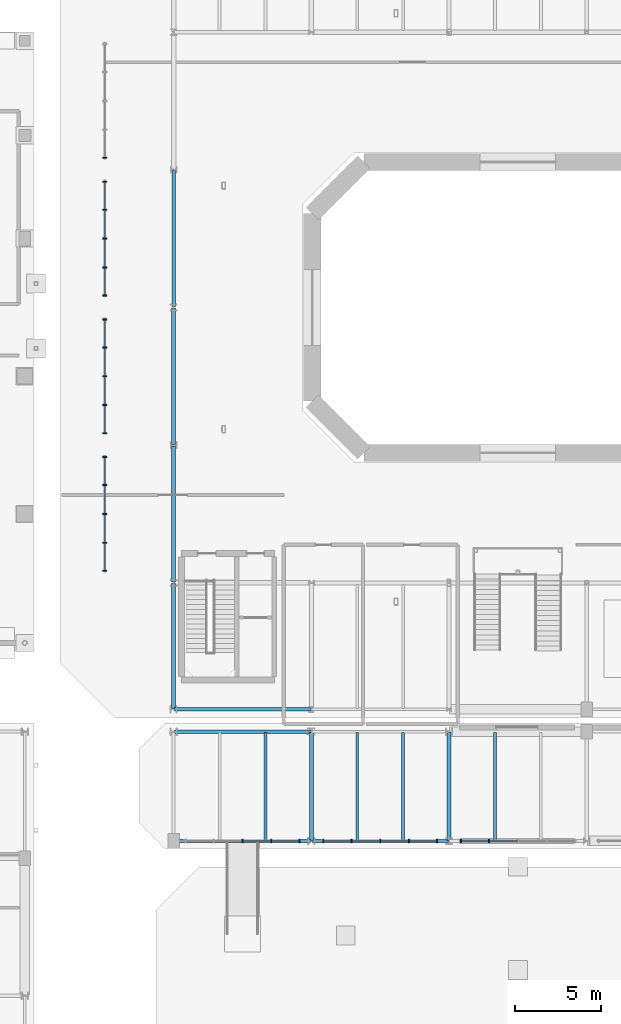
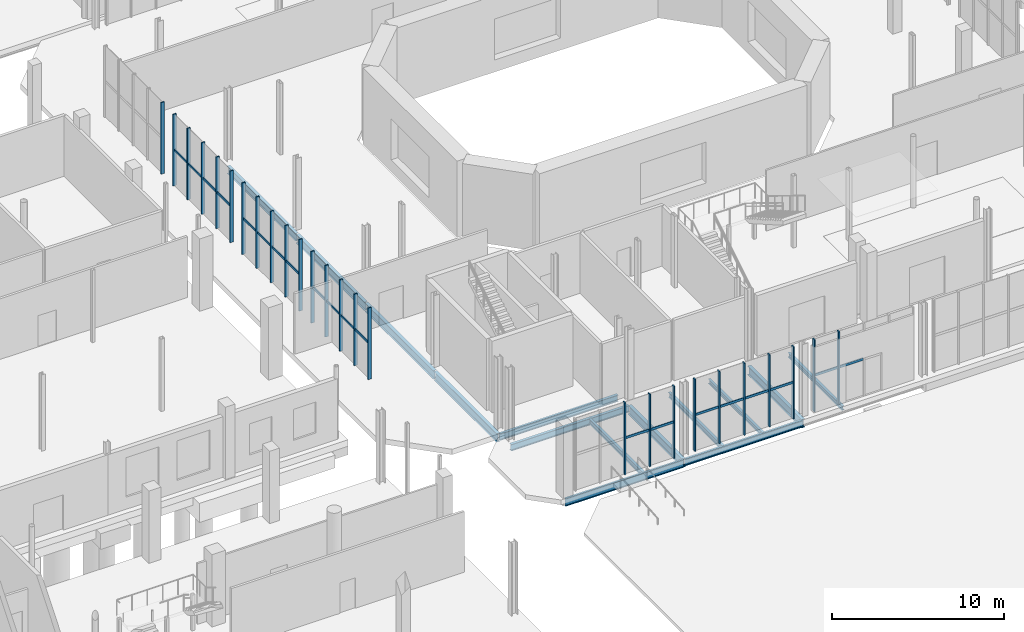
# One storey, part 39 of 87: 46 members, 14 beams, 7 elements without a shape of their own.
"""IFC4 building model written with IfcOpenShell, lengths in metres."""

import ifcopenshell
import ifcopenshell.guid

model = None  # the IFC model being written
_history = None  # IfcOwnerHistory: only IFC2X3 demands one
_inside = {}  # id of a spatial element -> (the spatial element, [elements in it])
_under = {}  # id of a project, library or spatial element -> (it, [spatial elements below it])
_declared = {}  # id of a project -> (the project, [libraries it declares])
_typed = {}  # id of a type object -> (the type object, [elements of that type])
_made_of = {}  # id of a material, layer set ... -> (it, [elements and type objects made of it])


def new_model(schema):
    """Start an empty IFC model of exactly this schema.

    Asked for "IFC4X3", IfcOpenShell would pick the latest addendum, in which some entities
    have other attributes; the version numbers below select the first issue.
    IFC2X3 requires an IfcOwnerHistory on every rooted entity: one is made here for all.
    """
    global model, _history
    if schema == "IFC4X3":
        model = ifcopenshell.file(schema_version=(4, 3, 0, 0))
    else:
        model = ifcopenshell.file(schema=schema)
    _inside.clear()
    _under.clear()
    _declared.clear()
    _typed.clear()
    _made_of.clear()
    _history = None
    if model.schema == "IFC2X3":
        org = make("IfcOrganization", Name="unknown")
        user = make(
            "IfcPersonAndOrganization",
            ThePerson=make("IfcPerson", FamilyName="unknown"),
            TheOrganization=org,
        )
        app = make(
            "IfcApplication",
            ApplicationDeveloper=org,
            Version="unknown",
            ApplicationFullName="unknown",
            ApplicationIdentifier="unknown",
        )
        _history = make(
            "IfcOwnerHistory",
            OwningUser=user,
            OwningApplication=app,
            ChangeAction="ADDED",
            CreationDate=0,
        )
    return model


def make(cls, **values):
    """One entity of the class cls with the attributes given. An attribute that is None is left unset."""
    return model.create_entity(
        cls, **{name: value for name, value in values.items() if value is not None}
    )


def rooted(cls, **values):
    """An entity with a GlobalId (a new one), such as an element, a storey or a relation."""
    return make(cls, GlobalId=ifcopenshell.guid.new(), OwnerHistory=_history, **values)


def si_unit(unit_type, name, prefix=None):
    """IfcSIUnit, for example si_unit("LENGTHUNIT", "METRE", prefix="MILLI")."""
    return make("IfcSIUnit", UnitType=unit_type, Prefix=prefix, Name=name)


def assignment(units):
    """IfcUnitAssignment: the units of a project."""
    return None if units is None else make("IfcUnitAssignment", Units=units)


def point(xyz):
    """IfcCartesianPoint."""
    return None if xyz is None else make("IfcCartesianPoint", Coordinates=xyz)


def direction(xyz):
    """IfcDirection."""
    return None if xyz is None else make("IfcDirection", DirectionRatios=xyz)


def frame(location, z_axis=None, x_axis=None):
    """IfcAxis2Placement3D, a coordinate frame: its origin and axes. An axis left out is left unset."""
    return make(
        "IfcAxis2Placement3D",
        Location=point(location),
        Axis=direction(z_axis),
        RefDirection=direction(x_axis),
    )


def frame_2d(location, x_axis=None):
    """IfcAxis2Placement2D, a coordinate frame in the plane: its origin and x axis."""
    return make(
        "IfcAxis2Placement2D", Location=point(location), RefDirection=direction(x_axis)
    )


def origin():
    """The frame at (0, 0, 0) with its axes left unset."""
    return frame((0.0, 0.0, 0.0))


def origin_2d():
    """The frame at (0, 0) in the plane with its x axis left unset."""
    return frame_2d((0.0, 0.0))


def place(relative_to, where):
    """IfcLocalPlacement: puts the frame where relative to a parent placement (None: the world)."""
    return make(
        "IfcLocalPlacement", PlacementRelTo=relative_to, RelativePlacement=where
    )


def context(
    kind, dimensions, precision=None, world=None, true_north=None, identifier=None
):
    """IfcGeometricRepresentationContext, for example the 3D "Model" context."""
    return make(
        "IfcGeometricRepresentationContext",
        ContextIdentifier=identifier,
        ContextType=kind,
        CoordinateSpaceDimension=dimensions,
        Precision=precision,
        WorldCoordinateSystem=world,
        TrueNorth=true_north,
    )


def subcontext(parent, identifier, kind, view, scale=None):
    """IfcGeometricRepresentationSubContext, for example "Body" below "Model"."""
    return make(
        "IfcGeometricRepresentationSubContext",
        ContextIdentifier=identifier,
        ContextType=kind,
        ParentContext=parent,
        TargetScale=scale,
        TargetView=view,
    )


def project(units=None, contexts=None):
    """IfcProject with its units and contexts."""
    return rooted(
        "IfcProject",
        Name="project",
        RepresentationContexts=contexts,
        UnitsInContext=assignment(units),
    )


def spatial(cls, under=None, at=None, **own):
    """A site, building, storey or space (cls), placed at a placement, below another one or the project."""
    s = rooted(cls, ObjectPlacement=at, **own)
    if under is not None:
        _under.setdefault(under.id(), (under, []))[1].append(s)
    return s


def profile(cls, at=None, kind="AREA", **sizes):
    """A parametric profile (cls). Its sizes go by their IFC names, for example OverallWidth=200.0."""
    return make(cls, ProfileType=kind, Position=at, **sizes)


def rectangle(**sizes):
    """IfcRectangleProfileDef."""
    return profile("IfcRectangleProfileDef", **sizes)


def i_section(**sizes):
    """IfcIShapeProfileDef."""
    return profile("IfcIShapeProfileDef", **sizes)


def extrude(swept, where, along, depth):
    """IfcExtrudedAreaSolid: the profile swept, set in the frame where, extruded along a direction by depth."""
    return make(
        "IfcExtrudedAreaSolid",
        SweptArea=swept,
        Position=where,
        ExtrudedDirection=direction(along),
        Depth=depth,
    )


def shape(context_of_items, identifier, shape_type, items):
    """IfcShapeRepresentation: the items that make up one representation, for example the "Body"."""
    return make(
        "IfcShapeRepresentation",
        ContextOfItems=context_of_items,
        RepresentationIdentifier=identifier,
        RepresentationType=shape_type,
        Items=items,
    )


def material(Name=None, Category=None):
    """IfcMaterial."""
    return make("IfcMaterial", Name=Name, Category=Category)


def material_profile(
    of_material, cross_section, Name=None, Category=None, Priority=None
):
    """IfcMaterialProfile: a cross section and its material."""
    return make(
        "IfcMaterialProfile",
        Name=Name,
        Material=of_material,
        Profile=cross_section,
        Priority=Priority,
        Category=Category,
    )


def profile_set(profiles, Name=None, composite=None):
    """IfcMaterialProfileSet."""
    return make(
        "IfcMaterialProfileSet",
        Name=Name,
        MaterialProfiles=profiles,
        CompositeProfile=composite,
    )


def made_of(thing, what):
    """Note that an element or type object is made of a material, layer set ...; save() writes the relation."""
    if what is not None:
        _made_of.setdefault(what.id(), (what, []))[1].append(thing)
    return thing


def type_object(cls, material=None, **own):
    """A type object (cls), such as IfcWallType, which elements share."""
    return made_of(rooted(cls, **own), material)


def element(
    cls,
    number,
    at=None,
    inside=None,
    cuts=None,
    type_object=None,
    material=None,
    context=None,
    identifier="Body",
    shape_type=None,
    held_by="IfcProductDefinitionShape",
    body=None,
    shapes=None,
    **own,
):
    """One element of the class cls, such as IfcWall. Its Tag is "e" and its number.

    at: its placement. inside: the storey or other place that contains it. cuts: it is an
    opening in that element (IfcRelVoidsElement). A single representation is given by context,
    identifier, shape_type and body (its items); several are given by shapes. held_by: the class
    of the entity that holds the representations. save() writes the other relations.
    """
    e = rooted(cls, Tag="e%d" % number, ObjectPlacement=at, **own)
    if body is not None:
        shapes = [shape(context, identifier, shape_type, body)]
    if shapes is not None:
        e.Representation = make(held_by, Representations=shapes)
    if inside is not None:
        _inside.setdefault(inside.id(), (inside, []))[1].append(e)
    if cuts is not None:
        rooted(
            "IfcRelVoidsElement", RelatingBuildingElement=cuts, RelatedOpeningElement=e
        )
    if type_object is not None:
        _typed.setdefault(type_object.id(), (type_object, []))[1].append(e)
    return made_of(e, material)


def aggregate(whole, parts):
    """IfcRelAggregates: a whole, such as a stair, and the parts it consists of."""
    return rooted("IfcRelAggregates", RelatingObject=whole, RelatedObjects=parts)


def save(model, path):
    """Write the relations noted so far, then the file.

    IfcRelAggregates (storeys below a building ...), IfcRelContainedInSpatialStructure (elements
    in a storey), IfcRelDefinesByType, IfcRelAssociatesMaterial and IfcRelDeclares: one each for
    every whole, place, type object, material and project.
    """
    for whole, parts in _under.values():
        aggregate(whole, parts)
    for where, things in _inside.values():
        rooted(
            "IfcRelContainedInSpatialStructure",
            RelatedElements=things,
            RelatingStructure=where,
        )
    for kind, things in _typed.values():
        rooted("IfcRelDefinesByType", RelatedObjects=things, RelatingType=kind)
    for what, things in _made_of.values():
        rooted("IfcRelAssociatesMaterial", RelatedObjects=things, RelatingMaterial=what)
    for by, libraries in _declared.values():
        rooted("IfcRelDeclares", RelatingContext=by, RelatedDefinitions=libraries)
    model.write(path)


model = new_model("IFC4")

# Units and contexts
model_context = context("Model", 3, precision=1e-05, world=origin(), true_north=direction((0.0, 1.0)))
body_context = subcontext(model_context, "Body", "Model", "MODEL_VIEW")
ifc_project = project(units=[si_unit("LENGTHUNIT", "METRE"), si_unit("AREAUNIT", "SQUARE_METRE"), si_unit("VOLUMEUNIT", "CUBIC_METRE"), si_unit("PLANEANGLEUNIT", "RADIAN"), si_unit("MASSUNIT", "GRAM", prefix="KILO")], contexts=[model_context])

# Site, building, storey
site_placement = place(None, origin())
site = spatial("IfcSite", under=ifc_project, at=site_placement, CompositionType="ELEMENT")
building_placement = place(site_placement, origin())
building = spatial("IfcBuilding", under=site, at=building_placement, Name="Brisemont Oceanarium", CompositionType="ELEMENT")
storey_placement = place(building_placement, origin())
storey = spatial("IfcBuildingStorey", under=building, at=storey_placement, Name="L00", CompositionType="ELEMENT", Elevation=0.0)

# Beams
ifc_material_1 = material(Name="Structural Steel ASTM A992 Gr.50", Category="steel")
ifc_material_profile_1 = material_profile(ifc_material_1, i_section(OverallWidth=0.1650390625, OverallDepth=0.31005859375, WebThickness=0.005859375, FlangeThickness=0.009765625, FilletRadius=0.008056640625, at=origin_2d()), Name="W12X26")
ifc_profile_set_1 = profile_set([ifc_material_profile_1], Name="Structural Steel ASTM A992 Gr.50")
beam_type_1 = type_object("IfcBeamType", Name="BM-W12X26", PredefinedType="JOIST", material=ifc_profile_set_1)
for number, where, z_axis, x_axis, name in (
    (1, (77.333251953125, 25.0400390625, -0.4951171875), (0.0, 1.0, 0.0), (-1.0, 0.0, 0.0), "V1P L00 secondary floor beam"),
    (2, (82.666748046875, 25.0400390625, -0.4951171875), (0.0, 1.0, 0.0), (-1.0, 0.0, 0.0), "V1P L00 secondary floor beam"),
):
    element("IfcBeam", number, at=place(storey_placement, frame(where, z_axis=z_axis, x_axis=x_axis)), inside=storey, type_object=beam_type_1, Name=name, PredefinedType="JOIST", context=body_context, shape_type="SweptSolid", body=[
        extrude(i_section(OverallWidth=0.1650390625, OverallDepth=0.31005859375, WebThickness=0.005859375, FlangeThickness=0.009765625, FilletRadius=0.008056640625, at=origin_2d()), origin(), (0.0, 0.0, 1.0), 6.27001953125),
    ])
ifc_material_2 = material(Name="Structural Steel ASTM A992 Gr.50", Category="steel")
ifc_material_profile_2 = material_profile(ifc_material_2, i_section(OverallWidth=0.1708984375, OverallDepth=0.35107421875, WebThickness=0.0068359375, FlangeThickness=0.009765625, FilletRadius=0.010009765625, at=origin_2d()), Name="W14X30")
ifc_profile_set_2 = profile_set([ifc_material_profile_2], Name="Structural Steel ASTM A992 Gr.50")
beam_type_2 = type_object("IfcBeamType", Name="BM-W14X30", PredefinedType="JOIST", material=ifc_profile_set_2)
for number, where, z_axis, x_axis, name in (
    (3, (69.333251953125, 25.0400390625, -0.515380859375), (0.0, 1.0, 0.0), (-1.0, 0.0, 0.0), "V1P L00 secondary floor beam"),
    (4, (74.666748046875, 25.0400390625, -0.515380859375), (0.0, 1.0, 0.0), (-1.0, 0.0, 0.0), "V1P L00 secondary floor beam"),
):
    element("IfcBeam", number, at=place(storey_placement, frame(where, z_axis=z_axis, x_axis=x_axis)), inside=storey, type_object=beam_type_2, Name=name, PredefinedType="JOIST", context=body_context, shape_type="SweptSolid", body=[
        extrude(i_section(OverallWidth=0.1708984375, OverallDepth=0.35107421875, WebThickness=0.0068359375, FlangeThickness=0.009765625, FilletRadius=0.010009765625, at=origin_2d()), origin(), (0.0, 0.0, 1.0), 6.27001953125),
    ])
ifc_material_3 = material(Name="Structural Steel ASTM A992 Gr.50", Category="steel")
ifc_material_profile_3 = material_profile(ifc_material_3, i_section(OverallWidth=0.19091796875, OverallDepth=0.4599609375, WebThickness=0.010009765625, FlangeThickness=0.01611328125, FilletRadius=0.010986328125, at=origin_2d()), Name="W18X55")
ifc_profile_set_3 = profile_set([ifc_material_profile_3], Name="Structural Steel ASTM A992 Gr.50")
beam_type_3 = type_object("IfcBeamType", Name="BM-W18X55", PredefinedType="SPANDREL", material=ifc_profile_set_3)
for number, where, z_axis, x_axis, name in (
    (5, (64.0400390625, 32.64990234375, -0.610107421875), (1.0, 0.0, 0.0), (0.0, 1.0, 0.0), "V1 L00 EW girder"),
    (6, (72.0400390625, 25.0, -0.570068359375), (1.0, 0.0, 0.0), (0.0, 1.0, 0.0), "V1P L00 EW girder"),
    (7, (64.0400390625, 31.35009765625, -0.570068359375), (1.0, 0.0, 0.0), (0.0, 1.0, 0.0), "V1P L00 EW girder"),
):
    element("IfcBeam", number, at=place(storey_placement, frame(where, z_axis=z_axis, x_axis=x_axis)), inside=storey, type_object=beam_type_3, Name=name, PredefinedType="SPANDREL", context=body_context, shape_type="SweptSolid", body=[
        extrude(i_section(OverallWidth=0.19091796875, OverallDepth=0.4599609375, WebThickness=0.010009765625, FlangeThickness=0.01611328125, FilletRadius=0.010986328125, at=origin_2d()), origin(), (0.0, 0.0, 1.0), 7.919921875),
    ])
ifc_material_4 = material(Name="Structural Steel ASTM A992 Gr.50", Category="steel")
ifc_material_profile_4 = material_profile(ifc_material_4, i_section(OverallWidth=0.166015625, OverallDepth=0.528076171875, WebThickness=0.009765625, FlangeThickness=0.013671875, FilletRadius=0.012939453125, at=origin_2d()), Name="W21X50")
ifc_profile_set_4 = profile_set([ifc_material_profile_4], Name="Structural Steel ASTM A992 Gr.50")
beam_type_4 = type_object("IfcBeamType", Name="BM-W21X50", PredefinedType="SPANDREL", material=ifc_profile_set_4)
beam_1_placement = place(storey_placement, frame((64.0400390625, 25.0, -0.60400390625), z_axis=(1.0, 0.0, 0.0), x_axis=(0.0, 1.0, 0.0)))
element("IfcBeam", 8, at=beam_1_placement, inside=storey, type_object=beam_type_4, Name="V1P L00 EW girder", PredefinedType="SPANDREL", context=body_context, shape_type="SweptSolid", body=[
    extrude(i_section(OverallWidth=0.166015625, OverallDepth=0.528076171875, WebThickness=0.009765625, FlangeThickness=0.013671875, FilletRadius=0.012939453125, at=origin_2d()), origin(), (0.0, 0.0, 1.0), 7.919921875),
])
ifc_material_5 = material(Name="Structural Steel ASTM A992 Gr.50", Category="steel")
ifc_material_profile_5 = material_profile(ifc_material_5, i_section(OverallWidth=0.2099609375, OverallDepth=0.532958984375, WebThickness=0.01025390625, FlangeThickness=0.015625, FilletRadius=0.012939453125, at=origin_2d()), Name="W21X62")
ifc_profile_set_5 = profile_set([ifc_material_profile_5], Name="Structural Steel ASTM A992 Gr.50")
beam_type_5 = type_object("IfcBeamType", Name="BM-W21X62", PredefinedType="BEAM", material=ifc_profile_set_5)
beam_2_placement = place(storey_placement, frame((64.0, 56.0400390625, -0.646484375), z_axis=(0.0, 1.0, 0.0), x_axis=(-1.0, 0.0, 0.0)))
element("IfcBeam", 9, at=beam_2_placement, inside=storey, type_object=beam_type_5, Name="V1 L00 NS girder", PredefinedType="BEAM", context=body_context, shape_type="SweptSolid", body=[
    extrude(i_section(OverallWidth=0.2099609375, OverallDepth=0.532958984375, WebThickness=0.01025390625, FlangeThickness=0.015625, FilletRadius=0.012939453125, at=origin_2d()), origin(), (0.0, 0.0, 1.0), 7.919921875),
])
ifc_material_6 = material(Name="Structural Steel ASTM A992 Gr.50", Category="steel")
ifc_material_profile_6 = material_profile(ifc_material_6, i_section(OverallWidth=0.22802734375, OverallDepth=0.60205078125, WebThickness=0.010498046875, FlangeThickness=0.014892578125, FilletRadius=0.012939453125, at=origin_2d()), Name="W24X68")
ifc_profile_set_6 = profile_set([ifc_material_profile_6], Name="Structural Steel ASTM A992 Gr.50")
beam_type_6 = type_object("IfcBeamType", Name="BM-W24X68", PredefinedType="BEAM", material=ifc_profile_set_6)
beam_3_placement = place(storey_placement, frame((64.0, 48.0400390625, -0.680908203125), z_axis=(0.0, 1.0, 0.0), x_axis=(-1.0, 0.0, 0.0)))
element("IfcBeam", 10, at=beam_3_placement, inside=storey, type_object=beam_type_6, Name="V1 L00 NS girder", PredefinedType="BEAM", context=body_context, shape_type="SweptSolid", body=[
    extrude(i_section(OverallWidth=0.22802734375, OverallDepth=0.60205078125, WebThickness=0.010498046875, FlangeThickness=0.014892578125, FilletRadius=0.012939453125, at=origin_2d()), origin(), (0.0, 0.0, 1.0), 7.919921875),
])
ifc_material_7 = material(Name="Structural Steel ASTM A992 Gr.50", Category="steel")
ifc_material_profile_7 = material_profile(ifc_material_7, i_section(OverallWidth=0.22802734375, OverallDepth=0.60791015625, WebThickness=0.01123046875, FlangeThickness=0.017333984375, FilletRadius=0.012939453125, at=origin_2d()), Name="W24X76")
ifc_profile_set_7 = profile_set([ifc_material_profile_7], Name="Structural Steel ASTM A992 Gr.50")
beam_type_7 = type_object("IfcBeamType", Name="BM-W24X76", PredefinedType="BEAM", material=ifc_profile_set_7)
beam_4_placement = place(storey_placement, frame((64.0, 40.0400390625, -0.68408203125), z_axis=(0.0, 1.0, 0.0), x_axis=(-1.0, 0.0, 0.0)))
element("IfcBeam", 11, at=beam_4_placement, inside=storey, type_object=beam_type_7, Name="V1 L00 NS girder", PredefinedType="BEAM", context=body_context, shape_type="SweptSolid", body=[
    extrude(i_section(OverallWidth=0.22802734375, OverallDepth=0.60791015625, WebThickness=0.01123046875, FlangeThickness=0.017333984375, FilletRadius=0.012939453125, at=origin_2d()), origin(), (0.0, 0.0, 1.0), 7.919921875),
])
beam_5_placement = place(storey_placement, frame((80.0, 25.0400390625, -0.64404296875), z_axis=(0.0, 1.0, 0.0), x_axis=(-1.0, 0.0, 0.0)))
element("IfcBeam", 12, at=beam_5_placement, inside=storey, type_object=beam_type_7, Name="V1P L00 NS girder", PredefinedType="BEAM", context=body_context, shape_type="SweptSolid", body=[
    extrude(i_section(OverallWidth=0.22802734375, OverallDepth=0.60791015625, WebThickness=0.01123046875, FlangeThickness=0.017333984375, FilletRadius=0.012939453125, at=origin_2d()), origin(), (0.0, 0.0, 1.0), 6.27001953125),
])
ifc_material_8 = material(Name="Structural Steel ASTM A992 Gr.50", Category="steel")
ifc_material_profile_8 = material_profile(ifc_material_8, i_section(OverallWidth=0.22900390625, OverallDepth=0.612060546875, WebThickness=0.011962890625, FlangeThickness=0.01953125, FilletRadius=0.012939453125, at=origin_2d()), Name="W24X84")
ifc_profile_set_8 = profile_set([ifc_material_profile_8], Name="Structural Steel ASTM A992 Gr.50")
beam_type_8 = type_object("IfcBeamType", Name="BM-W24X84", PredefinedType="BEAM", material=ifc_profile_set_8)
beam_6_placement = place(storey_placement, frame((64.0, 32.68994140625, -0.68603515625), z_axis=(0.0, 1.0, 0.0), x_axis=(-1.0, 0.0, 0.0)))
element("IfcBeam", 13, at=beam_6_placement, inside=storey, type_object=beam_type_8, Name="V1 L00 NS girder", PredefinedType="BEAM", context=body_context, shape_type="SweptSolid", body=[
    extrude(i_section(OverallWidth=0.22900390625, OverallDepth=0.612060546875, WebThickness=0.011962890625, FlangeThickness=0.01953125, FilletRadius=0.012939453125, at=origin_2d()), origin(), (0.0, 0.0, 1.0), 7.27001953125),
])
beam_7_placement = place(storey_placement, frame((72.0, 25.0400390625, -0.64599609375), z_axis=(0.0, 1.0, 0.0), x_axis=(-1.0, 0.0, 0.0)))
element("IfcBeam", 14, at=beam_7_placement, inside=storey, type_object=beam_type_8, Name="V1P L00 NS girder", PredefinedType="BEAM", context=body_context, shape_type="SweptSolid", body=[
    extrude(i_section(OverallWidth=0.22900390625, OverallDepth=0.612060546875, WebThickness=0.011962890625, FlangeThickness=0.01953125, FilletRadius=0.012939453125, at=origin_2d()), origin(), (0.0, 0.0, 1.0), 6.27001953125),
])

# Curtain wall, members
ifc_material_9 = material(Name="Anodized Extruded Aluminum 6063-T6", Category="aluminium")
curtain_wall_type_1 = type_object("IfcCurtainWallType", Name="CW-POR-69X50", PredefinedType="NOTDEFINED", material=ifc_material_9)
curtain_wall_1_placement = place(storey_placement, origin())
curtain_wall_1 = element("IfcCurtainWall", 15, at=curtain_wall_1_placement, inside=storey, type_object=curtain_wall_type_1, Name="CW-19 curtain wall CW-V1P-S-L00-01", PredefinedType="NOTDEFINED")
ifc_material_10 = material(Name="Anodized Extruded Aluminum 6063-T6", Category="aluminium")
ifc_material_profile_9 = material_profile(ifc_material_10, rectangle(XDim=0.074951171875, YDim=0.219970703125, at=origin_2d()), Name="CWM-75X220")
ifc_profile_set_9 = profile_set([ifc_material_profile_9], Name="Anodized Extruded Aluminum 6063-T6")
member_type_1 = type_object("IfcMemberType", Name="MEM-CWM-75", PredefinedType="MULLION", material=ifc_profile_set_9)
member_1_placement = place(storey_placement, frame((68.0, 25.0, 0.0), z_axis=(0.0, 0.0, 1.0), x_axis=(1.0, 0.0, 0.0)))
member_1 = element("IfcMember", 16, at=member_1_placement, type_object=member_type_1, Name="CW-V1P-S-L00-01 mullion 3", PredefinedType="MULLION", context=body_context, shape_type="SweptSolid", body=[
    extrude(rectangle(XDim=0.074951171875, YDim=0.219970703125, at=origin_2d()), origin(), (0.0, 0.0, 1.0), 5.10009765625),
])
member_2_placement = place(storey_placement, frame((69.675048828125, 25.0, 0.0), z_axis=(0.0, 0.0, 1.0), x_axis=(1.0, 0.0, 0.0)))
member_2 = element("IfcMember", 17, at=member_2_placement, type_object=member_type_1, Name="CW-V1P-S-L00-01 mullion 4", PredefinedType="MULLION", context=body_context, shape_type="SweptSolid", body=[
    extrude(rectangle(XDim=0.074951171875, YDim=0.219970703125, at=origin_2d()), origin(), (0.0, 0.0, 1.0), 5.10009765625),
])
member_3_placement = place(storey_placement, frame((71.304931640625, 25.0, 0.0), z_axis=(0.0, 0.0, 1.0), x_axis=(1.0, 0.0, 0.0)))
member_3 = element("IfcMember", 18, at=member_3_placement, type_object=member_type_1, Name="CW-V1P-S-L00-01 mullion 5", PredefinedType="MULLION", context=body_context, shape_type="SweptSolid", body=[
    extrude(rectangle(XDim=0.074951171875, YDim=0.219970703125, at=origin_2d()), origin(), (0.0, 0.0, 1.0), 5.10009765625),
])

curtain_wall_2_placement = place(storey_placement, origin())
curtain_wall_2 = element("IfcCurtainWall", 19, at=curtain_wall_2_placement, inside=storey, type_object=curtain_wall_type_1, Name="CW-19 curtain wall CW-V1P-S-L00-02", PredefinedType="NOTDEFINED")
member_4_placement = place(storey_placement, frame((72.695068359375, 25.0, 0.0), z_axis=(0.0, 0.0, 1.0), x_axis=(1.0, 0.0, 0.0)))
member_4 = element("IfcMember", 20, at=member_4_placement, type_object=member_type_1, Name="CW-V1P-S-L00-02 mullion 1", PredefinedType="MULLION", context=body_context, shape_type="SweptSolid", body=[
    extrude(rectangle(XDim=0.074951171875, YDim=0.219970703125, at=origin_2d()), origin(), (0.0, 0.0, 1.0), 5.10009765625),
])
member_5_placement = place(storey_placement, frame((74.324951171875, 25.0, 0.0), z_axis=(0.0, 0.0, 1.0), x_axis=(1.0, 0.0, 0.0)))
member_5 = element("IfcMember", 21, at=member_5_placement, type_object=member_type_1, Name="CW-V1P-S-L00-02 mullion 2", PredefinedType="MULLION", context=body_context, shape_type="SweptSolid", body=[
    extrude(rectangle(XDim=0.074951171875, YDim=0.219970703125, at=origin_2d()), origin(), (0.0, 0.0, 1.0), 5.10009765625),
])
member_6_placement = place(storey_placement, frame((76.0, 25.0, 0.0), z_axis=(0.0, 0.0, 1.0), x_axis=(1.0, 0.0, 0.0)))
member_6 = element("IfcMember", 22, at=member_6_placement, type_object=member_type_1, Name="CW-V1P-S-L00-02 mullion 3", PredefinedType="MULLION", context=body_context, shape_type="SweptSolid", body=[
    extrude(rectangle(XDim=0.074951171875, YDim=0.219970703125, at=origin_2d()), origin(), (0.0, 0.0, 1.0), 5.10009765625),
])
member_7_placement = place(storey_placement, frame((77.675048828125, 25.0, 0.0), z_axis=(0.0, 0.0, 1.0), x_axis=(1.0, 0.0, 0.0)))
member_7 = element("IfcMember", 23, at=member_7_placement, type_object=member_type_1, Name="CW-V1P-S-L00-02 mullion 4", PredefinedType="MULLION", context=body_context, shape_type="SweptSolid", body=[
    extrude(rectangle(XDim=0.074951171875, YDim=0.219970703125, at=origin_2d()), origin(), (0.0, 0.0, 1.0), 5.10009765625),
])
member_8_placement = place(storey_placement, frame((79.304931640625, 25.0, 0.0), z_axis=(0.0, 0.0, 1.0), x_axis=(1.0, 0.0, 0.0)))
member_8 = element("IfcMember", 24, at=member_8_placement, type_object=member_type_1, Name="CW-V1P-S-L00-02 mullion 5", PredefinedType="MULLION", context=body_context, shape_type="SweptSolid", body=[
    extrude(rectangle(XDim=0.074951171875, YDim=0.219970703125, at=origin_2d()), origin(), (0.0, 0.0, 1.0), 5.10009765625),
])

curtain_wall_3_placement = place(storey_placement, origin())
curtain_wall_3 = element("IfcCurtainWall", 25, at=curtain_wall_3_placement, inside=storey, type_object=curtain_wall_type_1, Name="CW-19 curtain wall CW-V1P-S-L00-03", PredefinedType="NOTDEFINED")
member_9_placement = place(storey_placement, frame((80.695068359375, 25.0, 0.0), z_axis=(0.0, 0.0, 1.0), x_axis=(1.0, 0.0, 0.0)))
member_9 = element("IfcMember", 26, at=member_9_placement, type_object=member_type_1, Name="CW-V1P-S-L00-03 mullion 1", PredefinedType="MULLION", context=body_context, shape_type="SweptSolid", body=[
    extrude(rectangle(XDim=0.074951171875, YDim=0.219970703125, at=origin_2d()), origin(), (0.0, 0.0, 1.0), 5.10009765625),
])
member_10_placement = place(storey_placement, frame((82.324951171875, 25.0, 0.0), z_axis=(0.0, 0.0, 1.0), x_axis=(1.0, 0.0, 0.0)))
member_10 = element("IfcMember", 27, at=member_10_placement, type_object=member_type_1, Name="CW-V1P-S-L00-03 mullion 2", PredefinedType="MULLION", context=body_context, shape_type="SweptSolid", body=[
    extrude(rectangle(XDim=0.074951171875, YDim=0.219970703125, at=origin_2d()), origin(), (0.0, 0.0, 1.0), 5.10009765625),
])

ifc_material_11 = material(Name="Anodized Extruded Aluminum 6063-T6", Category="aluminium")
curtain_wall_type_2 = type_object("IfcCurtainWallType", Name="CW-ROT-69X50", PredefinedType="NOTDEFINED", material=ifc_material_11)
curtain_wall_4_placement = place(storey_placement, origin())
curtain_wall_4 = element("IfcCurtainWall", 28, at=curtain_wall_4_placement, inside=storey, type_object=curtain_wall_type_2, Name="CW-01 curtain wall CW-V1-W-L00-01", PredefinedType="NOTDEFINED")
member_11_placement = place(storey_placement, frame((60.0, 40.695068359375, 0.0), z_axis=(0.0, 0.0, 1.0), x_axis=(0.0, 1.0, 0.0)))
member_11 = element("IfcMember", 29, at=member_11_placement, type_object=member_type_1, Name="CW-V1-W-L00-01 mullion 1", PredefinedType="MULLION", context=body_context, shape_type="SweptSolid", body=[
    extrude(rectangle(XDim=0.074951171875, YDim=0.219970703125, at=origin_2d()), origin(), (0.0, 0.0, 1.0), 5.06005859375),
])
member_12_placement = place(storey_placement, frame((60.0, 42.324951171875, 0.0), z_axis=(0.0, 0.0, 1.0), x_axis=(0.0, 1.0, 0.0)))
member_12 = element("IfcMember", 30, at=member_12_placement, type_object=member_type_1, Name="CW-V1-W-L00-01 mullion 2", PredefinedType="MULLION", context=body_context, shape_type="SweptSolid", body=[
    extrude(rectangle(XDim=0.074951171875, YDim=0.219970703125, at=origin_2d()), origin(), (0.0, 0.0, 1.0), 5.06005859375),
])
member_13_placement = place(storey_placement, frame((60.0, 44.0, 0.0), z_axis=(0.0, 0.0, 1.0), x_axis=(0.0, 1.0, 0.0)))
member_13 = element("IfcMember", 31, at=member_13_placement, type_object=member_type_1, Name="CW-V1-W-L00-01 mullion 3", PredefinedType="MULLION", context=body_context, shape_type="SweptSolid", body=[
    extrude(rectangle(XDim=0.074951171875, YDim=0.219970703125, at=origin_2d()), origin(), (0.0, 0.0, 1.0), 5.06005859375),
])
member_14_placement = place(storey_placement, frame((60.0, 45.675048828125, 0.0), z_axis=(0.0, 0.0, 1.0), x_axis=(0.0, 1.0, 0.0)))
member_14 = element("IfcMember", 32, at=member_14_placement, type_object=member_type_1, Name="CW-V1-W-L00-01 mullion 4", PredefinedType="MULLION", context=body_context, shape_type="SweptSolid", body=[
    extrude(rectangle(XDim=0.074951171875, YDim=0.219970703125, at=origin_2d()), origin(), (0.0, 0.0, 1.0), 5.06005859375),
])
member_15_placement = place(storey_placement, frame((60.0, 47.304931640625, 0.0), z_axis=(0.0, 0.0, 1.0), x_axis=(0.0, 1.0, 0.0)))
member_15 = element("IfcMember", 33, at=member_15_placement, type_object=member_type_1, Name="CW-V1-W-L00-01 mullion 5", PredefinedType="MULLION", context=body_context, shape_type="SweptSolid", body=[
    extrude(rectangle(XDim=0.074951171875, YDim=0.219970703125, at=origin_2d()), origin(), (0.0, 0.0, 1.0), 5.06005859375),
])

curtain_wall_5_placement = place(storey_placement, origin())
curtain_wall_5 = element("IfcCurtainWall", 34, at=curtain_wall_5_placement, inside=storey, type_object=curtain_wall_type_2, Name="CW-01 curtain wall CW-V1-W-L00-02", PredefinedType="NOTDEFINED")
member_16_placement = place(storey_placement, frame((60.0, 48.695068359375, 0.0), z_axis=(0.0, 0.0, 1.0), x_axis=(0.0, 1.0, 0.0)))
member_16 = element("IfcMember", 35, at=member_16_placement, type_object=member_type_1, Name="CW-V1-W-L00-02 mullion 1", PredefinedType="MULLION", context=body_context, shape_type="SweptSolid", body=[
    extrude(rectangle(XDim=0.074951171875, YDim=0.219970703125, at=origin_2d()), origin(), (0.0, 0.0, 1.0), 5.06005859375),
])
member_17_placement = place(storey_placement, frame((60.0, 50.324951171875, 0.0), z_axis=(0.0, 0.0, 1.0), x_axis=(0.0, 1.0, 0.0)))
member_17 = element("IfcMember", 36, at=member_17_placement, type_object=member_type_1, Name="CW-V1-W-L00-02 mullion 2", PredefinedType="MULLION", context=body_context, shape_type="SweptSolid", body=[
    extrude(rectangle(XDim=0.074951171875, YDim=0.219970703125, at=origin_2d()), origin(), (0.0, 0.0, 1.0), 5.06005859375),
])
member_18_placement = place(storey_placement, frame((60.0, 52.0, 0.0), z_axis=(0.0, 0.0, 1.0), x_axis=(0.0, 1.0, 0.0)))
member_18 = element("IfcMember", 37, at=member_18_placement, type_object=member_type_1, Name="CW-V1-W-L00-02 mullion 3", PredefinedType="MULLION", context=body_context, shape_type="SweptSolid", body=[
    extrude(rectangle(XDim=0.074951171875, YDim=0.219970703125, at=origin_2d()), origin(), (0.0, 0.0, 1.0), 5.06005859375),
])
member_19_placement = place(storey_placement, frame((60.0, 53.675048828125, 0.0), z_axis=(0.0, 0.0, 1.0), x_axis=(0.0, 1.0, 0.0)))
member_19 = element("IfcMember", 38, at=member_19_placement, type_object=member_type_1, Name="CW-V1-W-L00-02 mullion 4", PredefinedType="MULLION", context=body_context, shape_type="SweptSolid", body=[
    extrude(rectangle(XDim=0.074951171875, YDim=0.219970703125, at=origin_2d()), origin(), (0.0, 0.0, 1.0), 5.06005859375),
])
member_20_placement = place(storey_placement, frame((60.0, 55.304931640625, 0.0), z_axis=(0.0, 0.0, 1.0), x_axis=(0.0, 1.0, 0.0)))
member_20 = element("IfcMember", 39, at=member_20_placement, type_object=member_type_1, Name="CW-V1-W-L00-02 mullion 5", PredefinedType="MULLION", context=body_context, shape_type="SweptSolid", body=[
    extrude(rectangle(XDim=0.074951171875, YDim=0.219970703125, at=origin_2d()), origin(), (0.0, 0.0, 1.0), 5.06005859375),
])

curtain_wall_6_placement = place(storey_placement, origin())
curtain_wall_6 = element("IfcCurtainWall", 40, at=curtain_wall_6_placement, inside=storey, type_object=curtain_wall_type_2, Name="CW-01 curtain wall CW-V1-W-L00-03", PredefinedType="NOTDEFINED")
member_21_placement = place(storey_placement, frame((60.0, 56.695068359375, 0.0), z_axis=(0.0, 0.0, 1.0), x_axis=(0.0, 1.0, 0.0)))
member_21 = element("IfcMember", 41, at=member_21_placement, type_object=member_type_1, Name="CW-V1-W-L00-03 mullion 1", PredefinedType="MULLION", context=body_context, shape_type="SweptSolid", body=[
    extrude(rectangle(XDim=0.074951171875, YDim=0.219970703125, at=origin_2d()), origin(), (0.0, 0.0, 1.0), 5.06005859375),
])
member_22_placement = place(storey_placement, frame((60.0, 58.324951171875, 0.0), z_axis=(0.0, 0.0, 1.0), x_axis=(0.0, 1.0, 0.0)))
member_22 = element("IfcMember", 42, at=member_22_placement, type_object=member_type_1, Name="CW-V1-W-L00-03 mullion 2", PredefinedType="MULLION", context=body_context, shape_type="SweptSolid", body=[
    extrude(rectangle(XDim=0.074951171875, YDim=0.219970703125, at=origin_2d()), origin(), (0.0, 0.0, 1.0), 5.06005859375),
])
member_23_placement = place(storey_placement, frame((60.0, 60.0, 0.0), z_axis=(0.0, 0.0, 1.0), x_axis=(0.0, 1.0, 0.0)))
member_23 = element("IfcMember", 43, at=member_23_placement, type_object=member_type_1, Name="CW-V1-W-L00-03 mullion 3", PredefinedType="MULLION", context=body_context, shape_type="SweptSolid", body=[
    extrude(rectangle(XDim=0.074951171875, YDim=0.219970703125, at=origin_2d()), origin(), (0.0, 0.0, 1.0), 5.06005859375),
])
member_24_placement = place(storey_placement, frame((60.0, 61.675048828125, 0.0), z_axis=(0.0, 0.0, 1.0), x_axis=(0.0, 1.0, 0.0)))
member_24 = element("IfcMember", 44, at=member_24_placement, type_object=member_type_1, Name="CW-V1-W-L00-03 mullion 4", PredefinedType="MULLION", context=body_context, shape_type="SweptSolid", body=[
    extrude(rectangle(XDim=0.074951171875, YDim=0.219970703125, at=origin_2d()), origin(), (0.0, 0.0, 1.0), 5.06005859375),
])
member_25_placement = place(storey_placement, frame((60.0, 63.304931640625, 0.0), z_axis=(0.0, 0.0, 1.0), x_axis=(0.0, 1.0, 0.0)))
member_25 = element("IfcMember", 45, at=member_25_placement, type_object=member_type_1, Name="CW-V1-W-L00-03 mullion 5", PredefinedType="MULLION", context=body_context, shape_type="SweptSolid", body=[
    extrude(rectangle(XDim=0.074951171875, YDim=0.219970703125, at=origin_2d()), origin(), (0.0, 0.0, 1.0), 5.06005859375),
])

# Curtain wall, member
curtain_wall_7_placement = place(storey_placement, origin())
curtain_wall_7 = element("IfcCurtainWall", 46, at=curtain_wall_7_placement, inside=storey, type_object=curtain_wall_type_2, Name="CW-01 curtain wall CW-V1-W-L00-04", PredefinedType="NOTDEFINED")
member_26_placement = place(storey_placement, frame((60.0, 64.695068359375, 0.0), z_axis=(0.0, 0.0, 1.0), x_axis=(0.0, 1.0, 0.0)))
member_26 = element("IfcMember", 47, at=member_26_placement, type_object=member_type_1, Name="CW-V1-W-L00-04 mullion 1", PredefinedType="MULLION", context=body_context, shape_type="SweptSolid", body=[
    extrude(rectangle(XDim=0.074951171875, YDim=0.219970703125, at=origin_2d()), origin(), (0.0, 0.0, 1.0), 5.06005859375),
])
aggregate(curtain_wall_7, [member_26])

# Member
ifc_material_12 = material(Name="Anodized Extruded Aluminum 6063-T6", Category="aluminium")
ifc_material_profile_10 = material_profile(ifc_material_12, rectangle(XDim=0.074951171875, YDim=0.1650390625, at=origin_2d()), Name="CWT-75X165")
ifc_profile_set_10 = profile_set([ifc_material_profile_10], Name="Anodized Extruded Aluminum 6063-T6")
member_type_2 = type_object("IfcMemberType", Name="MEM-CWT-75", PredefinedType="USERDEFINED", material=ifc_profile_set_10)
member_27_placement = place(storey_placement, frame((68.014892578125, 25.0, 2.550048828125), z_axis=(1.0, 0.0, 0.0), x_axis=(0.0, 1.0, 0.0)))
member_27 = element("IfcMember", 48, at=member_27_placement, type_object=member_type_2, Name="CW-V1P-S-L00-01 transom 3.1", ObjectType="TRANSOM", PredefinedType="USERDEFINED", context=body_context, shape_type="SweptSolid", body=[
    extrude(rectangle(XDim=0.074951171875, YDim=0.1650390625, at=origin_2d()), origin(), (0.0, 0.0, 1.0), 1.64501953125),
])

member_28_placement = place(storey_placement, frame((69.68994140625, 25.0, 2.550048828125), z_axis=(1.0, 0.0, 0.0), x_axis=(0.0, 1.0, 0.0)))
member_28 = element("IfcMember", 49, at=member_28_placement, type_object=member_type_2, Name="CW-V1P-S-L00-01 transom 4.1", ObjectType="TRANSOM", PredefinedType="USERDEFINED", context=body_context, shape_type="SweptSolid", body=[
    extrude(rectangle(XDim=0.074951171875, YDim=0.1650390625, at=origin_2d()), origin(), (0.0, 0.0, 1.0), 1.64501953125),
])

aggregate(curtain_wall_1, [member_1, member_2, member_3, member_27, member_28])

member_29_placement = place(storey_placement, frame((72.6650390625, 25.0, 2.550048828125), z_axis=(1.0, 0.0, 0.0), x_axis=(0.0, 1.0, 0.0)))
member_29 = element("IfcMember", 50, at=member_29_placement, type_object=member_type_2, Name="CW-V1P-S-L00-02 transom 1.1", ObjectType="TRANSOM", PredefinedType="USERDEFINED", context=body_context, shape_type="SweptSolid", body=[
    extrude(rectangle(XDim=0.074951171875, YDim=0.1650390625, at=origin_2d()), origin(), (0.0, 0.0, 1.0), 1.64501953125),
])

member_30_placement = place(storey_placement, frame((74.340087890625, 25.0, 2.550048828125), z_axis=(1.0, 0.0, 0.0), x_axis=(0.0, 1.0, 0.0)))
member_30 = element("IfcMember", 51, at=member_30_placement, type_object=member_type_2, Name="CW-V1P-S-L00-02 transom 2.1", ObjectType="TRANSOM", PredefinedType="USERDEFINED", context=body_context, shape_type="SweptSolid", body=[
    extrude(rectangle(XDim=0.074951171875, YDim=0.1650390625, at=origin_2d()), origin(), (0.0, 0.0, 1.0), 1.64501953125),
])

member_31_placement = place(storey_placement, frame((76.014892578125, 25.0, 2.550048828125), z_axis=(1.0, 0.0, 0.0), x_axis=(0.0, 1.0, 0.0)))
member_31 = element("IfcMember", 52, at=member_31_placement, type_object=member_type_2, Name="CW-V1P-S-L00-02 transom 3.1", ObjectType="TRANSOM", PredefinedType="USERDEFINED", context=body_context, shape_type="SweptSolid", body=[
    extrude(rectangle(XDim=0.074951171875, YDim=0.1650390625, at=origin_2d()), origin(), (0.0, 0.0, 1.0), 1.64501953125),
])

member_32_placement = place(storey_placement, frame((77.68994140625, 25.0, 2.550048828125), z_axis=(1.0, 0.0, 0.0), x_axis=(0.0, 1.0, 0.0)))
member_32 = element("IfcMember", 53, at=member_32_placement, type_object=member_type_2, Name="CW-V1P-S-L00-02 transom 4.1", ObjectType="TRANSOM", PredefinedType="USERDEFINED", context=body_context, shape_type="SweptSolid", body=[
    extrude(rectangle(XDim=0.074951171875, YDim=0.1650390625, at=origin_2d()), origin(), (0.0, 0.0, 1.0), 1.64501953125),
])

aggregate(curtain_wall_2, [member_4, member_5, member_6, member_7, member_8, member_29, member_30, member_31, member_32])

member_33_placement = place(storey_placement, frame((80.6650390625, 25.0, 2.550048828125), z_axis=(1.0, 0.0, 0.0), x_axis=(0.0, 1.0, 0.0)))
member_33 = element("IfcMember", 54, at=member_33_placement, type_object=member_type_2, Name="CW-V1P-S-L00-03 transom 1.1", ObjectType="TRANSOM", PredefinedType="USERDEFINED", context=body_context, shape_type="SweptSolid", body=[
    extrude(rectangle(XDim=0.074951171875, YDim=0.1650390625, at=origin_2d()), origin(), (0.0, 0.0, 1.0), 1.64501953125),
])

member_34_placement = place(storey_placement, frame((82.340087890625, 25.0, 2.550048828125), z_axis=(1.0, 0.0, 0.0), x_axis=(0.0, 1.0, 0.0)))
member_34 = element("IfcMember", 55, at=member_34_placement, type_object=member_type_2, Name="CW-V1P-S-L00-03 transom 2.1", ObjectType="TRANSOM", PredefinedType="USERDEFINED", context=body_context, shape_type="SweptSolid", body=[
    extrude(rectangle(XDim=0.074951171875, YDim=0.1650390625, at=origin_2d()), origin(), (0.0, 0.0, 1.0), 1.64501953125),
])

aggregate(curtain_wall_3, [member_9, member_10, member_33, member_34])

member_35_placement = place(storey_placement, frame((60.0, 40.6650390625, 2.530029296875), z_axis=(0.0, 1.0, 0.0), x_axis=(-1.0, 0.0, 0.0)))
member_35 = element("IfcMember", 56, at=member_35_placement, type_object=member_type_2, Name="CW-V1-W-L00-01 transom 1.1", ObjectType="TRANSOM", PredefinedType="USERDEFINED", context=body_context, shape_type="SweptSolid", body=[
    extrude(rectangle(XDim=0.074951171875, YDim=0.1650390625, at=origin_2d()), origin(), (0.0, 0.0, 1.0), 1.64501953125),
])

member_36_placement = place(storey_placement, frame((60.0, 42.340087890625, 2.530029296875), z_axis=(0.0, 1.0, 0.0), x_axis=(-1.0, 0.0, 0.0)))
member_36 = element("IfcMember", 57, at=member_36_placement, type_object=member_type_2, Name="CW-V1-W-L00-01 transom 2.1", ObjectType="TRANSOM", PredefinedType="USERDEFINED", context=body_context, shape_type="SweptSolid", body=[
    extrude(rectangle(XDim=0.074951171875, YDim=0.1650390625, at=origin_2d()), origin(), (0.0, 0.0, 1.0), 1.64501953125),
])

member_37_placement = place(storey_placement, frame((60.0, 44.014892578125, 2.530029296875), z_axis=(0.0, 1.0, 0.0), x_axis=(-1.0, 0.0, 0.0)))
member_37 = element("IfcMember", 58, at=member_37_placement, type_object=member_type_2, Name="CW-V1-W-L00-01 transom 3.1", ObjectType="TRANSOM", PredefinedType="USERDEFINED", context=body_context, shape_type="SweptSolid", body=[
    extrude(rectangle(XDim=0.074951171875, YDim=0.1650390625, at=origin_2d()), origin(), (0.0, 0.0, 1.0), 1.64501953125),
])

member_38_placement = place(storey_placement, frame((60.0, 45.68994140625, 2.530029296875), z_axis=(0.0, 1.0, 0.0), x_axis=(-1.0, 0.0, 0.0)))
member_38 = element("IfcMember", 59, at=member_38_placement, type_object=member_type_2, Name="CW-V1-W-L00-01 transom 4.1", ObjectType="TRANSOM", PredefinedType="USERDEFINED", context=body_context, shape_type="SweptSolid", body=[
    extrude(rectangle(XDim=0.074951171875, YDim=0.1650390625, at=origin_2d()), origin(), (0.0, 0.0, 1.0), 1.64501953125),
])

aggregate(curtain_wall_4, [member_11, member_12, member_13, member_14, member_15, member_35, member_36, member_37, member_38])

member_39_placement = place(storey_placement, frame((60.0, 48.6650390625, 2.530029296875), z_axis=(0.0, 1.0, 0.0), x_axis=(-1.0, 0.0, 0.0)))
member_39 = element("IfcMember", 60, at=member_39_placement, type_object=member_type_2, Name="CW-V1-W-L00-02 transom 1.1", ObjectType="TRANSOM", PredefinedType="USERDEFINED", context=body_context, shape_type="SweptSolid", body=[
    extrude(rectangle(XDim=0.074951171875, YDim=0.1650390625, at=origin_2d()), origin(), (0.0, 0.0, 1.0), 1.64501953125),
])

member_40_placement = place(storey_placement, frame((60.0, 50.340087890625, 2.530029296875), z_axis=(0.0, 1.0, 0.0), x_axis=(-1.0, 0.0, 0.0)))
member_40 = element("IfcMember", 61, at=member_40_placement, type_object=member_type_2, Name="CW-V1-W-L00-02 transom 2.1", ObjectType="TRANSOM", PredefinedType="USERDEFINED", context=body_context, shape_type="SweptSolid", body=[
    extrude(rectangle(XDim=0.074951171875, YDim=0.1650390625, at=origin_2d()), origin(), (0.0, 0.0, 1.0), 1.64501953125),
])

member_41_placement = place(storey_placement, frame((60.0, 52.014892578125, 2.530029296875), z_axis=(0.0, 1.0, 0.0), x_axis=(-1.0, 0.0, 0.0)))
member_41 = element("IfcMember", 62, at=member_41_placement, type_object=member_type_2, Name="CW-V1-W-L00-02 transom 3.1", ObjectType="TRANSOM", PredefinedType="USERDEFINED", context=body_context, shape_type="SweptSolid", body=[
    extrude(rectangle(XDim=0.074951171875, YDim=0.1650390625, at=origin_2d()), origin(), (0.0, 0.0, 1.0), 1.64501953125),
])

member_42_placement = place(storey_placement, frame((60.0, 53.68994140625, 2.530029296875), z_axis=(0.0, 1.0, 0.0), x_axis=(-1.0, 0.0, 0.0)))
member_42 = element("IfcMember", 63, at=member_42_placement, type_object=member_type_2, Name="CW-V1-W-L00-02 transom 4.1", ObjectType="TRANSOM", PredefinedType="USERDEFINED", context=body_context, shape_type="SweptSolid", body=[
    extrude(rectangle(XDim=0.074951171875, YDim=0.1650390625, at=origin_2d()), origin(), (0.0, 0.0, 1.0), 1.64501953125),
])

aggregate(curtain_wall_5, [member_16, member_17, member_18, member_19, member_20, member_39, member_40, member_41, member_42])

member_43_placement = place(storey_placement, frame((60.0, 56.6650390625, 2.530029296875), z_axis=(0.0, 1.0, 0.0), x_axis=(-1.0, 0.0, 0.0)))
member_43 = element("IfcMember", 64, at=member_43_placement, type_object=member_type_2, Name="CW-V1-W-L00-03 transom 1.1", ObjectType="TRANSOM", PredefinedType="USERDEFINED", context=body_context, shape_type="SweptSolid", body=[
    extrude(rectangle(XDim=0.074951171875, YDim=0.1650390625, at=origin_2d()), origin(), (0.0, 0.0, 1.0), 1.64501953125),
])

member_44_placement = place(storey_placement, frame((60.0, 58.340087890625, 2.530029296875), z_axis=(0.0, 1.0, 0.0), x_axis=(-1.0, 0.0, 0.0)))
member_44 = element("IfcMember", 65, at=member_44_placement, type_object=member_type_2, Name="CW-V1-W-L00-03 transom 2.1", ObjectType="TRANSOM", PredefinedType="USERDEFINED", context=body_context, shape_type="SweptSolid", body=[
    extrude(rectangle(XDim=0.074951171875, YDim=0.1650390625, at=origin_2d()), origin(), (0.0, 0.0, 1.0), 1.64501953125),
])

member_45_placement = place(storey_placement, frame((60.0, 60.014892578125, 2.530029296875), z_axis=(0.0, 1.0, 0.0), x_axis=(-1.0, 0.0, 0.0)))
member_45 = element("IfcMember", 66, at=member_45_placement, type_object=member_type_2, Name="CW-V1-W-L00-03 transom 3.1", ObjectType="TRANSOM", PredefinedType="USERDEFINED", context=body_context, shape_type="SweptSolid", body=[
    extrude(rectangle(XDim=0.074951171875, YDim=0.1650390625, at=origin_2d()), origin(), (0.0, 0.0, 1.0), 1.64501953125),
])

member_46_placement = place(storey_placement, frame((60.0, 61.68994140625, 2.530029296875), z_axis=(0.0, 1.0, 0.0), x_axis=(-1.0, 0.0, 0.0)))
member_46 = element("IfcMember", 67, at=member_46_placement, type_object=member_type_2, Name="CW-V1-W-L00-03 transom 4.1", ObjectType="TRANSOM", PredefinedType="USERDEFINED", context=body_context, shape_type="SweptSolid", body=[
    extrude(rectangle(XDim=0.074951171875, YDim=0.1650390625, at=origin_2d()), origin(), (0.0, 0.0, 1.0), 1.64501953125),
])

aggregate(curtain_wall_6, [member_21, member_22, member_23, member_24, member_25, member_43, member_44, member_45, member_46])

save(model, "model.ifc")
